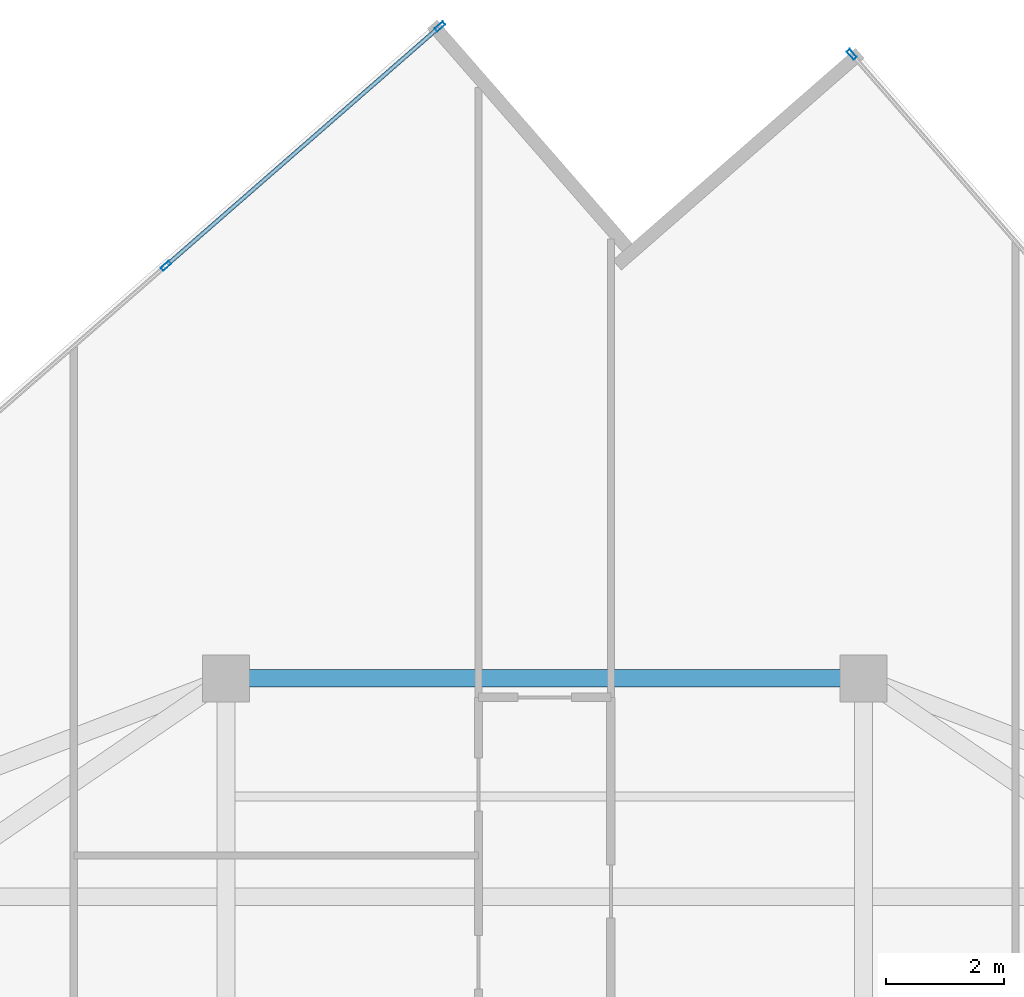
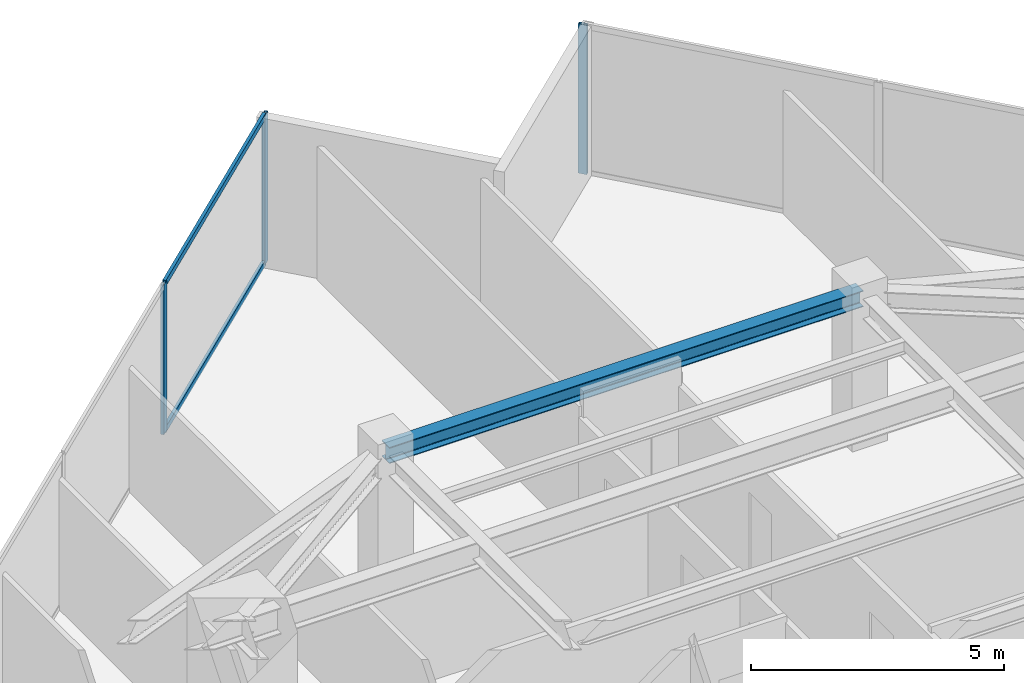
# One storey, part 16 of 24: 5 members, 1 beam, 2 elements without a shape of their own.
"""IFC4 building model written with IfcOpenShell, lengths in metres."""

import ifcopenshell
import ifcopenshell.guid

model = None  # the IFC model being written
_history = None  # IfcOwnerHistory: only IFC2X3 demands one
_inside = {}  # id of a spatial element -> (the spatial element, [elements in it])
_under = {}  # id of a project, library or spatial element -> (it, [spatial elements below it])
_declared = {}  # id of a project -> (the project, [libraries it declares])
_typed = {}  # id of a type object -> (the type object, [elements of that type])
_made_of = {}  # id of a material, layer set ... -> (it, [elements and type objects made of it])


def new_model(schema):
    """Start an empty IFC model of exactly this schema.

    Asked for "IFC4X3", IfcOpenShell would pick the latest addendum, in which some entities
    have other attributes; the version numbers below select the first issue.
    IFC2X3 requires an IfcOwnerHistory on every rooted entity: one is made here for all.
    """
    global model, _history
    if schema == "IFC4X3":
        model = ifcopenshell.file(schema_version=(4, 3, 0, 0))
    else:
        model = ifcopenshell.file(schema=schema)
    _inside.clear()
    _under.clear()
    _declared.clear()
    _typed.clear()
    _made_of.clear()
    _history = None
    if model.schema == "IFC2X3":
        org = make("IfcOrganization", Name="unknown")
        user = make(
            "IfcPersonAndOrganization",
            ThePerson=make("IfcPerson", FamilyName="unknown"),
            TheOrganization=org,
        )
        app = make(
            "IfcApplication",
            ApplicationDeveloper=org,
            Version="unknown",
            ApplicationFullName="unknown",
            ApplicationIdentifier="unknown",
        )
        _history = make(
            "IfcOwnerHistory",
            OwningUser=user,
            OwningApplication=app,
            ChangeAction="ADDED",
            CreationDate=0,
        )
    return model


def make(cls, **values):
    """One entity of the class cls with the attributes given. An attribute that is None is left unset."""
    return model.create_entity(
        cls, **{name: value for name, value in values.items() if value is not None}
    )


def rooted(cls, **values):
    """An entity with a GlobalId (a new one), such as an element, a storey or a relation."""
    return make(cls, GlobalId=ifcopenshell.guid.new(), OwnerHistory=_history, **values)


def si_unit(unit_type, name, prefix=None):
    """IfcSIUnit, for example si_unit("LENGTHUNIT", "METRE", prefix="MILLI")."""
    return make("IfcSIUnit", UnitType=unit_type, Prefix=prefix, Name=name)


def assignment(units):
    """IfcUnitAssignment: the units of a project."""
    return None if units is None else make("IfcUnitAssignment", Units=units)


def point(xyz):
    """IfcCartesianPoint."""
    return None if xyz is None else make("IfcCartesianPoint", Coordinates=xyz)


def direction(xyz):
    """IfcDirection."""
    return None if xyz is None else make("IfcDirection", DirectionRatios=xyz)


def frame(location, z_axis=None, x_axis=None):
    """IfcAxis2Placement3D, a coordinate frame: its origin and axes. An axis left out is left unset."""
    return make(
        "IfcAxis2Placement3D",
        Location=point(location),
        Axis=direction(z_axis),
        RefDirection=direction(x_axis),
    )


def frame_2d(location, x_axis=None):
    """IfcAxis2Placement2D, a coordinate frame in the plane: its origin and x axis."""
    return make(
        "IfcAxis2Placement2D", Location=point(location), RefDirection=direction(x_axis)
    )


def origin():
    """The frame at (0, 0, 0) with its axes left unset."""
    return frame((0.0, 0.0, 0.0))


def origin_2d():
    """The frame at (0, 0) in the plane with its x axis left unset."""
    return frame_2d((0.0, 0.0))


def place(relative_to, where):
    """IfcLocalPlacement: puts the frame where relative to a parent placement (None: the world)."""
    return make(
        "IfcLocalPlacement", PlacementRelTo=relative_to, RelativePlacement=where
    )


def context(
    kind, dimensions, precision=None, world=None, true_north=None, identifier=None
):
    """IfcGeometricRepresentationContext, for example the 3D "Model" context."""
    return make(
        "IfcGeometricRepresentationContext",
        ContextIdentifier=identifier,
        ContextType=kind,
        CoordinateSpaceDimension=dimensions,
        Precision=precision,
        WorldCoordinateSystem=world,
        TrueNorth=true_north,
    )


def subcontext(parent, identifier, kind, view, scale=None):
    """IfcGeometricRepresentationSubContext, for example "Body" below "Model"."""
    return make(
        "IfcGeometricRepresentationSubContext",
        ContextIdentifier=identifier,
        ContextType=kind,
        ParentContext=parent,
        TargetScale=scale,
        TargetView=view,
    )


def project(units=None, contexts=None):
    """IfcProject with its units and contexts."""
    return rooted(
        "IfcProject",
        Name="project",
        RepresentationContexts=contexts,
        UnitsInContext=assignment(units),
    )


def spatial(cls, under=None, at=None, **own):
    """A site, building, storey or space (cls), placed at a placement, below another one or the project."""
    s = rooted(cls, ObjectPlacement=at, **own)
    if under is not None:
        _under.setdefault(under.id(), (under, []))[1].append(s)
    return s


def profile(cls, at=None, kind="AREA", **sizes):
    """A parametric profile (cls). Its sizes go by their IFC names, for example OverallWidth=200.0."""
    return make(cls, ProfileType=kind, Position=at, **sizes)


def hollow_rectangle(**sizes):
    """IfcRectangleHollowProfileDef."""
    return profile("IfcRectangleHollowProfileDef", **sizes)


def i_section(**sizes):
    """IfcIShapeProfileDef."""
    return profile("IfcIShapeProfileDef", **sizes)


def extrude(swept, where, along, depth):
    """IfcExtrudedAreaSolid: the profile swept, set in the frame where, extruded along a direction by depth."""
    return make(
        "IfcExtrudedAreaSolid",
        SweptArea=swept,
        Position=where,
        ExtrudedDirection=direction(along),
        Depth=depth,
    )


def shape(context_of_items, identifier, shape_type, items):
    """IfcShapeRepresentation: the items that make up one representation, for example the "Body"."""
    return make(
        "IfcShapeRepresentation",
        ContextOfItems=context_of_items,
        RepresentationIdentifier=identifier,
        RepresentationType=shape_type,
        Items=items,
    )


def source(mapping_origin, context_of_items, identifier, shape_type, items):
    """IfcRepresentationMap: a shape defined once, which mapped items show again and again."""
    return make(
        "IfcRepresentationMap",
        MappingOrigin=mapping_origin,
        MappedRepresentation=shape(context_of_items, identifier, shape_type, items),
    )


def transform(
    local_origin,
    x_axis=None,
    y_axis=None,
    z_axis=None,
    scale=None,
    scale2=None,
    scale3=None,
    uniform=True,
):
    """IfcCartesianTransformationOperator3D, or its non-uniform kind. x_axis, y_axis, z_axis: its Axis1, 2, 3."""
    if uniform:
        return make(
            "IfcCartesianTransformationOperator3D",
            Axis1=direction(x_axis),
            Axis2=direction(y_axis),
            LocalOrigin=point(local_origin),
            Scale=scale,
            Axis3=direction(z_axis),
        )
    return make(
        "IfcCartesianTransformationOperator3DnonUniform",
        Axis1=direction(x_axis),
        Axis2=direction(y_axis),
        LocalOrigin=point(local_origin),
        Scale=scale,
        Axis3=direction(z_axis),
        Scale2=scale2,
        Scale3=scale3,
    )


def mapped(mapping_source, mapping_target):
    """IfcMappedItem: shows the shape of a source again, moved by a transform."""
    return make(
        "IfcMappedItem", MappingSource=mapping_source, MappingTarget=mapping_target
    )


def material(Name=None, Category=None):
    """IfcMaterial."""
    return make("IfcMaterial", Name=Name, Category=Category)


def material_profile(
    of_material, cross_section, Name=None, Category=None, Priority=None
):
    """IfcMaterialProfile: a cross section and its material."""
    return make(
        "IfcMaterialProfile",
        Name=Name,
        Material=of_material,
        Profile=cross_section,
        Priority=Priority,
        Category=Category,
    )


def profile_set(profiles, Name=None, composite=None):
    """IfcMaterialProfileSet."""
    return make(
        "IfcMaterialProfileSet",
        Name=Name,
        MaterialProfiles=profiles,
        CompositeProfile=composite,
    )


def made_of(thing, what):
    """Note that an element or type object is made of a material, layer set ...; save() writes the relation."""
    if what is not None:
        _made_of.setdefault(what.id(), (what, []))[1].append(thing)
    return thing


def type_object(cls, material=None, **own):
    """A type object (cls), such as IfcWallType, which elements share."""
    return made_of(rooted(cls, **own), material)


def type_shapes(of_type, sources):
    """Give a type object the sources (RepresentationMaps) that its elements show as mapped items."""
    of_type.RepresentationMaps = sources


def element(
    cls,
    number,
    at=None,
    inside=None,
    cuts=None,
    type_object=None,
    material=None,
    context=None,
    identifier="Body",
    shape_type=None,
    held_by="IfcProductDefinitionShape",
    body=None,
    shapes=None,
    **own,
):
    """One element of the class cls, such as IfcWall. Its Tag is "e" and its number.

    at: its placement. inside: the storey or other place that contains it. cuts: it is an
    opening in that element (IfcRelVoidsElement). A single representation is given by context,
    identifier, shape_type and body (its items); several are given by shapes. held_by: the class
    of the entity that holds the representations. save() writes the other relations.
    """
    e = rooted(cls, Tag="e%d" % number, ObjectPlacement=at, **own)
    if body is not None:
        shapes = [shape(context, identifier, shape_type, body)]
    if shapes is not None:
        e.Representation = make(held_by, Representations=shapes)
    if inside is not None:
        _inside.setdefault(inside.id(), (inside, []))[1].append(e)
    if cuts is not None:
        rooted(
            "IfcRelVoidsElement", RelatingBuildingElement=cuts, RelatedOpeningElement=e
        )
    if type_object is not None:
        _typed.setdefault(type_object.id(), (type_object, []))[1].append(e)
    return made_of(e, material)


def aggregate(whole, parts):
    """IfcRelAggregates: a whole, such as a stair, and the parts it consists of."""
    return rooted("IfcRelAggregates", RelatingObject=whole, RelatedObjects=parts)


def save(model, path):
    """Write the relations noted so far, then the file.

    IfcRelAggregates (storeys below a building ...), IfcRelContainedInSpatialStructure (elements
    in a storey), IfcRelDefinesByType, IfcRelAssociatesMaterial and IfcRelDeclares: one each for
    every whole, place, type object, material and project.
    """
    for whole, parts in _under.values():
        aggregate(whole, parts)
    for where, things in _inside.values():
        rooted(
            "IfcRelContainedInSpatialStructure",
            RelatedElements=things,
            RelatingStructure=where,
        )
    for kind, things in _typed.values():
        rooted("IfcRelDefinesByType", RelatedObjects=things, RelatingType=kind)
    for what, things in _made_of.values():
        rooted("IfcRelAssociatesMaterial", RelatedObjects=things, RelatingMaterial=what)
    for by, libraries in _declared.values():
        rooted("IfcRelDeclares", RelatingContext=by, RelatedDefinitions=libraries)
    model.write(path)


model = new_model("IFC4")

# Units and contexts
model_context = context("Model", 3, precision=1e-05, world=origin(), true_north=direction((0.0, 1.0)))
body_context = subcontext(model_context, "Body", "Model", "MODEL_VIEW")
ifc_project = project(units=[si_unit("LENGTHUNIT", "METRE"), si_unit("AREAUNIT", "SQUARE_METRE"), si_unit("VOLUMEUNIT", "CUBIC_METRE"), si_unit("PLANEANGLEUNIT", "RADIAN"), si_unit("MASSUNIT", "GRAM", prefix="KILO")], contexts=[model_context])

# Site, building, storey
site_placement = place(None, origin())
site = spatial("IfcSite", under=ifc_project, at=site_placement, CompositionType="ELEMENT")
building_placement = place(site_placement, origin())
building = spatial("IfcBuilding", under=site, at=building_placement, Name="Krantzveldt Concourse Tower", CompositionType="ELEMENT")
storey_placement = place(building_placement, frame((0.0, 0.0, 258.64990234375)))
storey = spatial("IfcBuildingStorey", under=building, at=storey_placement, Name="L63", CompositionType="ELEMENT", Elevation=258.64990234375)

# Beam
ifc_material_1 = material(Name="Steel S355JR", Category="steel")
ifc_material_profile_1 = material_profile(ifc_material_1, i_section(OverallWidth=0.300048828125, OverallDepth=0.389892578125, WebThickness=0.010986328125, FlangeThickness=0.01904296875, FilletRadius=0.027099609375, at=origin_2d()), Name="Steel S355JR", Category="steel")
ifc_profile_set_1 = profile_set([ifc_material_profile_1], Name="Steel S355JR - HEA 400")
beam_type = type_object("IfcBeamType", Name="BM-SP-HEA400", PredefinedType="SPANDREL", material=ifc_profile_set_1)
shared_shape_1 = source(origin(), body_context, "Body", "SweptSolid", [
    extrude(i_section(OverallWidth=0.300048828125, OverallDepth=0.389892578125, WebThickness=0.010986328125, FlangeThickness=0.01904296875, FilletRadius=0.027099609375, at=origin_2d()), origin(), (0.0, 0.0, 1.0), 10.7998046875),
])
type_shapes(beam_type, [shared_shape_1])
beam_placement = place(storey_placement, frame((30.60009765625, 41.199951171875, 3.405029296875), z_axis=(1.0, 0.0, 0.0), x_axis=(0.0, 1.0, 0.0)))
element("IfcBeam", 1, at=beam_placement, inside=storey, type_object=beam_type, Name="L63 Tower Girder SP-R04", PredefinedType="SPANDREL", context=body_context, shape_type="MappedRepresentation", body=[
    mapped(shared_shape_1, transform((0.0, 0.0, 0.0), x_axis=(1.0, 0.0, 0.0), y_axis=(0.0, 1.0, 0.0), z_axis=(0.0, 0.0, 1.0), scale=1.0)),
])

# Curtain wall, members
ifc_material_2 = material(Name="Anodised aluminium 6063-T6", Category="aluminium")
curtain_wall_type = type_object("IfcCurtainWallType", Name="CW3", PredefinedType="USERDEFINED", material=ifc_material_2)
curtain_wall_1_placement = place(storey_placement, origin())
curtain_wall_1 = element("IfcCurtainWall", 2, at=curtain_wall_1_placement, inside=storey, type_object=curtain_wall_type, Name="CW-L63-F01", ObjectType="UNITISED CURTAIN WALL", PredefinedType="USERDEFINED")
ifc_material_profile_2 = material_profile(ifc_material_2, hollow_rectangle(XDim=0.070068359375, YDim=0.179931640625, WallThickness=0.0048828125, at=origin_2d()), Name="Anodised aluminium 6063-T6", Category="aluminium")
ifc_profile_set_2 = profile_set([ifc_material_profile_2], Name="Anodised aluminium 6063-T6 - ALU-MULL 180x70x5")
member_type_1 = type_object("IfcMemberType", Name="CW-MUL-180", PredefinedType="MULLION", material=ifc_profile_set_2)
shared_shape_2 = source(origin(), body_context, "Body", "SweptSolid", [
    extrude(hollow_rectangle(XDim=0.070068359375, YDim=0.179931640625, WallThickness=0.0048828125, at=origin_2d()), origin(), (0.0, 0.0, 1.0), 3.60009765625),
])
type_shapes(member_type_1, [shared_shape_2])
member_1_placement = place(storey_placement, frame((34.2255859375, 52.245849609375, 0.0), z_axis=(0.0, 0.0, 1.0), x_axis=(0.657703938567, -0.753276529034, 0.0)))
member_1 = element("IfcMember", 3, at=member_1_placement, type_object=member_type_1, Name="CW-Z34 mullion 1", PredefinedType="MULLION", context=body_context, shape_type="MappedRepresentation", body=[
    mapped(shared_shape_2, transform((0.0, 0.0, 0.0), x_axis=(1.0, 0.0, 0.0), y_axis=(0.0, 1.0, 0.0), z_axis=(0.0, 0.0, 1.0), scale=1.0)),
])
member_2_placement = place(storey_placement, frame((29.581787109375, 48.19091796875, 0.0), z_axis=(0.0, 0.0, 1.0), x_axis=(0.657703938567, -0.753276529034, 0.0)))
member_2 = element("IfcMember", 4, at=member_2_placement, type_object=member_type_1, Name="CW-Z34 mullion 2", PredefinedType="MULLION", context=body_context, shape_type="MappedRepresentation", body=[
    mapped(shared_shape_2, transform((0.0, 0.0, 0.0), x_axis=(1.0, 0.0, 0.0), y_axis=(0.0, 1.0, 0.0), z_axis=(0.0, 0.0, 1.0), scale=1.0)),
])

# Curtain wall, member
curtain_wall_2_placement = place(storey_placement, origin())
curtain_wall_2 = element("IfcCurtainWall", 5, at=curtain_wall_2_placement, inside=storey, type_object=curtain_wall_type, Name="CW-L63-F10", ObjectType="UNITISED CURTAIN WALL", PredefinedType="USERDEFINED")
member_3_placement = place(storey_placement, frame((41.202880859375, 51.773193359375, 0.0), z_axis=(0.0, 0.0, 1.0), x_axis=(-0.753276529034, -0.657703938567, 0.0)))
member_3 = element("IfcMember", 6, at=member_3_placement, type_object=member_type_1, Name="CW-Z34 mullion 6", PredefinedType="MULLION", context=body_context, shape_type="MappedRepresentation", body=[
    mapped(shared_shape_2, transform((0.0, 0.0, 0.0), x_axis=(1.0, 0.0, 0.0), y_axis=(0.0, 1.0, 0.0), z_axis=(0.0, 0.0, 1.0), scale=1.0)),
])
aggregate(curtain_wall_2, [member_3])

# Member
ifc_material_profile_3 = material_profile(ifc_material_2, hollow_rectangle(XDim=0.070068359375, YDim=0.139892578125, WallThickness=0.0048828125, at=origin_2d()), Name="Anodised aluminium 6063-T6", Category="aluminium")
ifc_profile_set_3 = profile_set([ifc_material_profile_3], Name="Anodised aluminium 6063-T6 - ALU-TRAN 140x70x5")
member_type_2 = type_object("IfcMemberType", Name="CW-TRN-150", PredefinedType="USERDEFINED", material=ifc_profile_set_3)
shared_shape_3 = source(origin(), body_context, "Body", "SweptSolid", [
    extrude(hollow_rectangle(XDim=0.070068359375, YDim=0.139892578125, WallThickness=0.0048828125, at=origin_2d()), origin(), (0.0, 0.0, 1.0), 6.0947265625),
])
type_shapes(member_type_2, [shared_shape_3])
member_4_placement = place(storey_placement, frame((34.19921875, 52.22265625, 0.03515625), z_axis=(-0.753278511151, -0.657701668417, 0.0), x_axis=(0.657701668417, -0.753278511151, 0.0)))
member_4 = element("IfcMember", 7, at=member_4_placement, type_object=member_type_2, Name="CW-Z34 transom 1.1", ObjectType="TRANSOM", PredefinedType="USERDEFINED", context=body_context, shape_type="MappedRepresentation", body=[
    mapped(shared_shape_3, transform((0.0, 0.0, 0.0), x_axis=(1.0, 0.0, 0.0), y_axis=(0.0, 1.0, 0.0), z_axis=(0.0, 0.0, 1.0), scale=1.0)),
])

member_5_placement = place(storey_placement, frame((34.19921875, 52.22265625, 3.565185546875), z_axis=(-0.753278511151, -0.657701668417, 0.0), x_axis=(0.657701668417, -0.753278511151, 0.0)))
member_5 = element("IfcMember", 8, at=member_5_placement, type_object=member_type_2, Name="CW-Z34 transom 1.2", ObjectType="TRANSOM", PredefinedType="USERDEFINED", context=body_context, shape_type="MappedRepresentation", body=[
    mapped(shared_shape_3, transform((0.0, 0.0, 0.0), x_axis=(1.0, 0.0, 0.0), y_axis=(0.0, 1.0, 0.0), z_axis=(0.0, 0.0, 1.0), scale=1.0)),
])

aggregate(curtain_wall_1, [member_1, member_2, member_4, member_5])

save(model, "model.ifc")
